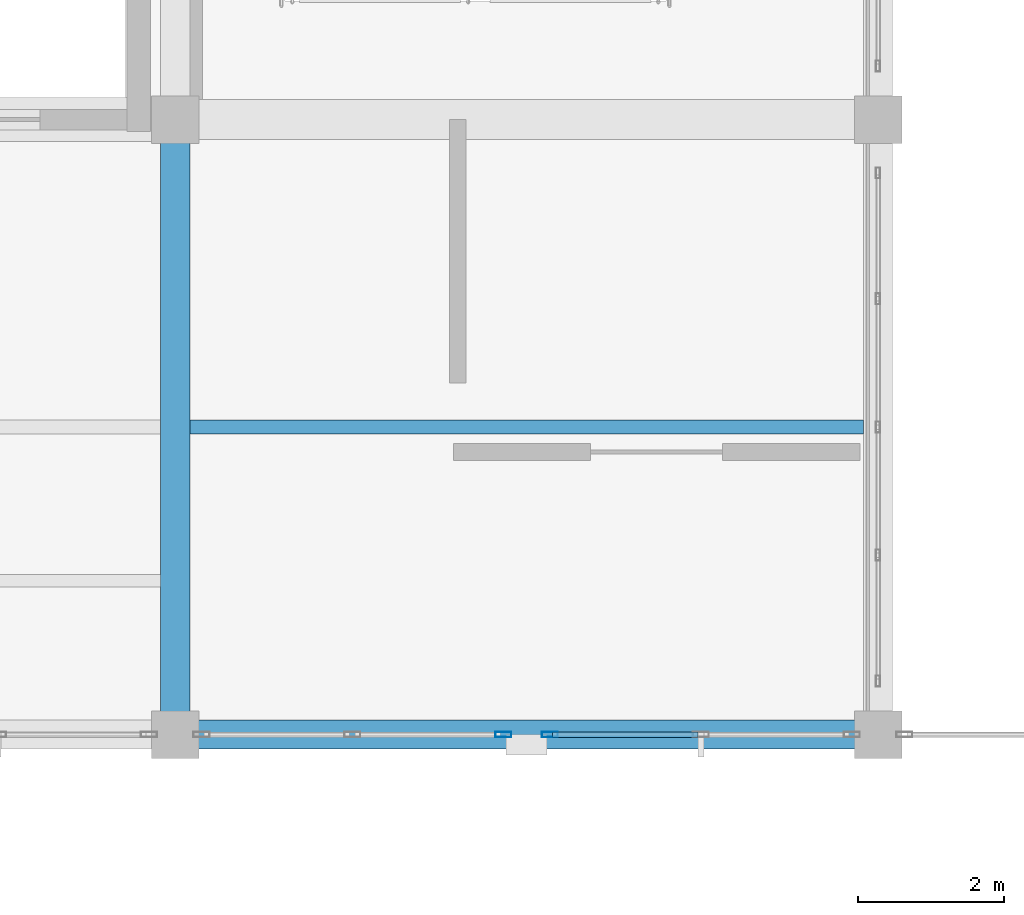
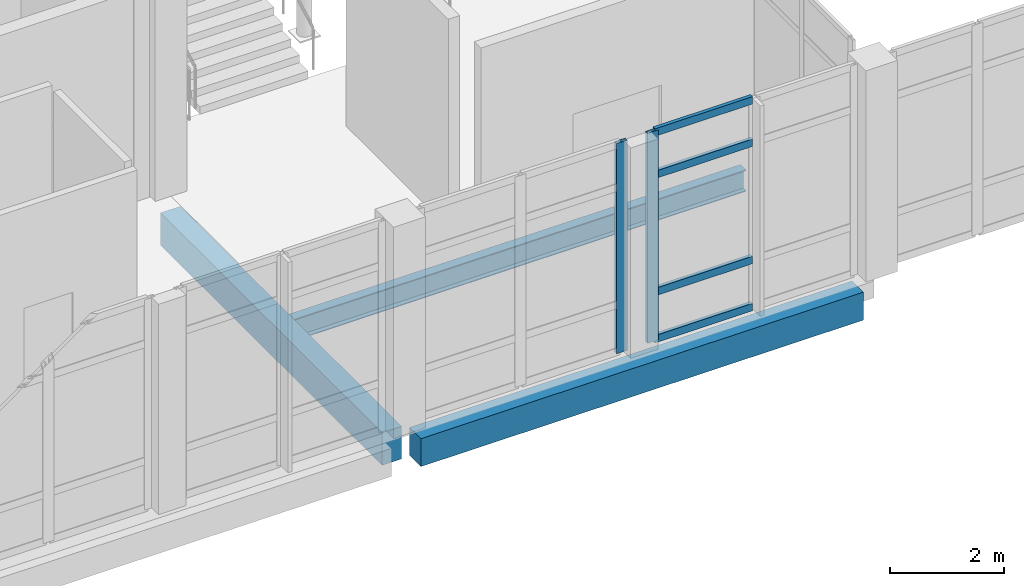
# One storey, part 27 of 102: 6 members, 3 beams, 2 elements without a shape of their own.
"""IFC4 building model written with IfcOpenShell, lengths in metres."""

from ifc_helpers import new_model, si_unit, direction, frame, origin, origin_2d, place, context, subcontext, project, spatial, rectangle, hollow_rectangle, i_section, extrude, material, layer, layer_set, material_profile, profile_set, type_object, element, aggregate, save


model = new_model("IFC4")

# Units and contexts
model_context = context("Model", 3, precision=1e-05, world=origin(), true_north=direction((0.0, 1.0)))
body_context = subcontext(model_context, "Body", "Model", "MODEL_VIEW")
ifc_project = project(units=[si_unit("LENGTHUNIT", "METRE"), si_unit("AREAUNIT", "SQUARE_METRE"), si_unit("VOLUMEUNIT", "CUBIC_METRE"), si_unit("PLANEANGLEUNIT", "RADIAN"), si_unit("MASSUNIT", "GRAM", prefix="KILO")], contexts=[model_context])

# Site, building, storey
site_placement = place(None, origin())
site = spatial("IfcSite", under=ifc_project, at=site_placement, CompositionType="ELEMENT")
building_placement = place(site_placement, origin())
building = spatial("IfcBuilding", under=site, at=building_placement, Name="Lornevale Opera House", CompositionType="ELEMENT")
storey_placement = place(building_placement, frame((0.0, 0.0, 5.39990234375)))
storey = spatial("IfcBuildingStorey", under=building, at=storey_placement, Name="L02", CompositionType="ELEMENT", Elevation=5.39990234375)

# Beams
ifc_material_1 = material(Name="Concrete 35 MPa (CSA A23.1 N)", Category="concrete")
ifc_material_profile_1 = material_profile(ifc_material_1, rectangle(XDim=0.39990234375, YDim=0.699951171875, at=origin_2d()), Name="RC400x700")
ifc_profile_set_1 = profile_set([ifc_material_profile_1], Name="Concrete 35 MPa (CSA A23.1 N)")
beam_type_1 = type_object("IfcBeamType", Name="Concrete Floor Beam 400x700", PredefinedType="USERDEFINED", material=ifc_profile_set_1)
beam_1_placement = place(storey_placement, frame((57.60009765625, 17.10009765625, -0.64990234375), z_axis=(0.0, 1.0, 0.0), x_axis=(-1.0, 0.0, 0.0)))
element("IfcBeam", 1, at=beam_1_placement, inside=storey, type_object=beam_type_1, Name="Concrete Floor Beam 400x700 1881", ObjectType="GIRDER", PredefinedType="USERDEFINED", context=body_context, shape_type="SweptSolid", body=[
    extrude(rectangle(XDim=0.39990234375, YDim=0.699951171875, at=origin_2d()), origin(), (0.0, 0.0, 1.0), 7.7998046875),
])
ifc_material_profile_2 = material_profile(ifc_material_1, rectangle(XDim=0.39990234375, YDim=0.60009765625, at=origin_2d()), Name="RC400x600")
ifc_profile_set_2 = profile_set([ifc_material_profile_2], Name="Concrete 35 MPa (CSA A23.1 N)")
beam_type_2 = type_object("IfcBeamType", Name="Concrete Spandrel Beam 400x600", PredefinedType="SPANDREL", material=ifc_profile_set_2)
beam_2_placement = place(storey_placement, frame((57.89990234375, 16.800048828125, -0.599853515625), z_axis=(1.0, 0.0, 0.0), x_axis=(0.0, 1.0, 0.0)))
element("IfcBeam", 2, at=beam_2_placement, inside=storey, type_object=beam_type_2, Name="Concrete Spandrel Beam 400x600 1687", PredefinedType="SPANDREL", context=body_context, shape_type="SweptSolid", body=[
    extrude(rectangle(XDim=0.39990234375, YDim=0.60009765625, at=origin_2d()), origin(), (0.0, 0.0, 1.0), 9.0),
])

# Curtain wall, member
ifc_material_2 = material(Name="Anodized Oxide-Green Aluminium Framing", Category="aluminium")
ifc_layer = layer(ifc_material_2, 0.219970703125)
ifc_layer_set = layer_set([ifc_layer], Name="Anodized Oxide-Green Aluminium Framing")
curtain_wall_type = type_object("IfcCurtainWallType", Name="Winter-Garden Curtain Wall M1900", PredefinedType="NOTDEFINED", material=ifc_layer_set)
curtain_wall_1_placement = place(storey_placement, origin())
curtain_wall_1 = element("IfcCurtainWall", 3, at=curtain_wall_1_placement, inside=storey, type_object=curtain_wall_type, Name="Winter-Garden Curtain Wall M1900 CW-067", PredefinedType="NOTDEFINED")
ifc_material_profile_3 = material_profile(ifc_material_2, hollow_rectangle(XDim=0.074951171875, YDim=0.219970703125, WallThickness=0.0048828125, at=origin_2d()), Name="ALU75x220x5")
ifc_profile_set_3 = profile_set([ifc_material_profile_3], Name="Anodized Oxide-Green Aluminium Framing")
member_type_1 = type_object("IfcMemberType", Name="Curtain Wall Mullion 75x220", PredefinedType="MULLION", material=ifc_profile_set_3)
member_1_placement = place(storey_placement, frame((62.717529296875, 16.800048828125, 0.0), z_axis=(0.0, 0.0, 1.0), x_axis=(0.0, -1.0, 0.0)))
member_1 = element("IfcMember", 4, at=member_1_placement, type_object=member_type_1, Name="Curtain Wall Mullion 75x220 CW1325", PredefinedType="MULLION", context=body_context, shape_type="SweptSolid", body=[
    extrude(hollow_rectangle(XDim=0.074951171875, YDim=0.219970703125, WallThickness=0.0048828125, at=origin_2d()), origin(), (0.0, 0.0, 1.0), 4.52001953125),
])

curtain_wall_2_placement = place(storey_placement, origin())
curtain_wall_2 = element("IfcCurtainWall", 5, at=curtain_wall_2_placement, inside=storey, type_object=curtain_wall_type, Name="Winter-Garden Curtain Wall M1900 CW-068", PredefinedType="NOTDEFINED")
member_2_placement = place(storey_placement, frame((62.08251953125, 16.800048828125, 0.0), z_axis=(0.0, 0.0, 1.0), x_axis=(0.0, -1.0, 0.0)))
member_2 = element("IfcMember", 6, at=member_2_placement, type_object=member_type_1, Name="Curtain Wall Mullion 75x220 CW1340", PredefinedType="MULLION", context=body_context, shape_type="SweptSolid", body=[
    extrude(hollow_rectangle(XDim=0.074951171875, YDim=0.219970703125, WallThickness=0.0048828125, at=origin_2d()), origin(), (0.0, 0.0, 1.0), 4.52001953125),
])
aggregate(curtain_wall_2, [member_2])

# Member
ifc_material_profile_4 = material_profile(ifc_material_2, hollow_rectangle(XDim=0.074951171875, YDim=0.159912109375, WallThickness=0.0048828125, at=origin_2d()), Name="ALU75x160x5")
ifc_profile_set_4 = profile_set([ifc_material_profile_4], Name="Anodized Oxide-Green Aluminium Framing")
member_type_2 = type_object("IfcMemberType", Name="Curtain Wall Transom 75x160", PredefinedType="USERDEFINED", material=ifc_profile_set_4)
member_3_placement = place(storey_placement, frame((64.741943359375, 16.800048828125, 0.03759765625), z_axis=(-1.0, 0.0, 0.0), x_axis=(0.0, -1.0, 0.0)))
member_3 = element("IfcMember", 7, at=member_3_placement, type_object=member_type_2, Name="Curtain Wall Transom 75x160 CW1333", ObjectType="TRANSOM", PredefinedType="USERDEFINED", context=body_context, shape_type="SweptSolid", body=[
    extrude(hollow_rectangle(XDim=0.074951171875, YDim=0.159912109375, WallThickness=0.0048828125, at=origin_2d()), origin(), (0.0, 0.0, 1.0), 1.987060546875),
])

member_4_placement = place(storey_placement, frame((64.741943359375, 16.800048828125, 1.050048828125), z_axis=(-1.0, 0.0, 0.0), x_axis=(0.0, -1.0, 0.0)))
member_4 = element("IfcMember", 8, at=member_4_placement, type_object=member_type_2, Name="Curtain Wall Transom 75x160 CW1334", ObjectType="TRANSOM", PredefinedType="USERDEFINED", context=body_context, shape_type="SweptSolid", body=[
    extrude(hollow_rectangle(XDim=0.074951171875, YDim=0.159912109375, WallThickness=0.0048828125, at=origin_2d()), origin(), (0.0, 0.0, 1.0), 1.987060546875),
])

member_5_placement = place(storey_placement, frame((64.741943359375, 16.800048828125, 3.570068359375), z_axis=(-1.0, 0.0, 0.0), x_axis=(0.0, -1.0, 0.0)))
member_5 = element("IfcMember", 9, at=member_5_placement, type_object=member_type_2, Name="Curtain Wall Transom 75x160 CW1335", ObjectType="TRANSOM", PredefinedType="USERDEFINED", context=body_context, shape_type="SweptSolid", body=[
    extrude(hollow_rectangle(XDim=0.074951171875, YDim=0.159912109375, WallThickness=0.0048828125, at=origin_2d()), origin(), (0.0, 0.0, 1.0), 1.987060546875),
])

member_6_placement = place(storey_placement, frame((64.741943359375, 16.800048828125, 4.482666015625), z_axis=(-1.0, 0.0, 0.0), x_axis=(0.0, -1.0, 0.0)))
member_6 = element("IfcMember", 10, at=member_6_placement, type_object=member_type_2, Name="Curtain Wall Transom 75x160 CW1336", ObjectType="TRANSOM", PredefinedType="USERDEFINED", context=body_context, shape_type="SweptSolid", body=[
    extrude(hollow_rectangle(XDim=0.074951171875, YDim=0.159912109375, WallThickness=0.0048828125, at=origin_2d()), origin(), (0.0, 0.0, 1.0), 1.987060546875),
])

aggregate(curtain_wall_1, [member_1, member_3, member_4, member_5, member_6])

# Beam
ifc_material_3 = material(Name="Structural Steel CSA G40.21 Grade 350W (350 MPa)", Category="steel")
ifc_material_profile_5 = material_profile(ifc_material_3, i_section(OverallWidth=0.19189453125, OverallDepth=0.462890625, WebThickness=0.010498046875, FlangeThickness=0.017578125, at=origin_2d()), Name="W460x89")
ifc_profile_set_5 = profile_set([ifc_material_profile_5], Name="Structural Steel CSA G40.21 Grade 350W (350 MPa)")
beam_type_3 = type_object("IfcBeamType", Name="Steel Floor Joist W460x89", PredefinedType="JOIST", material=ifc_profile_set_5)
beam_3_placement = place(storey_placement, frame((57.800048828125, 21.0, -0.54638671875), z_axis=(1.0, 0.0, 0.0), x_axis=(0.0, 1.0, 0.0)))
element("IfcBeam", 11, at=beam_3_placement, inside=storey, type_object=beam_type_3, Name="Steel Floor Joist W460x89 2021", PredefinedType="JOIST", context=body_context, shape_type="SweptSolid", body=[
    extrude(i_section(OverallWidth=0.19189453125, OverallDepth=0.462890625, WebThickness=0.010498046875, FlangeThickness=0.017578125, at=origin_2d()), origin(), (0.0, 0.0, 1.0), 9.199951171875),
])

save(model, "model.ifc")
